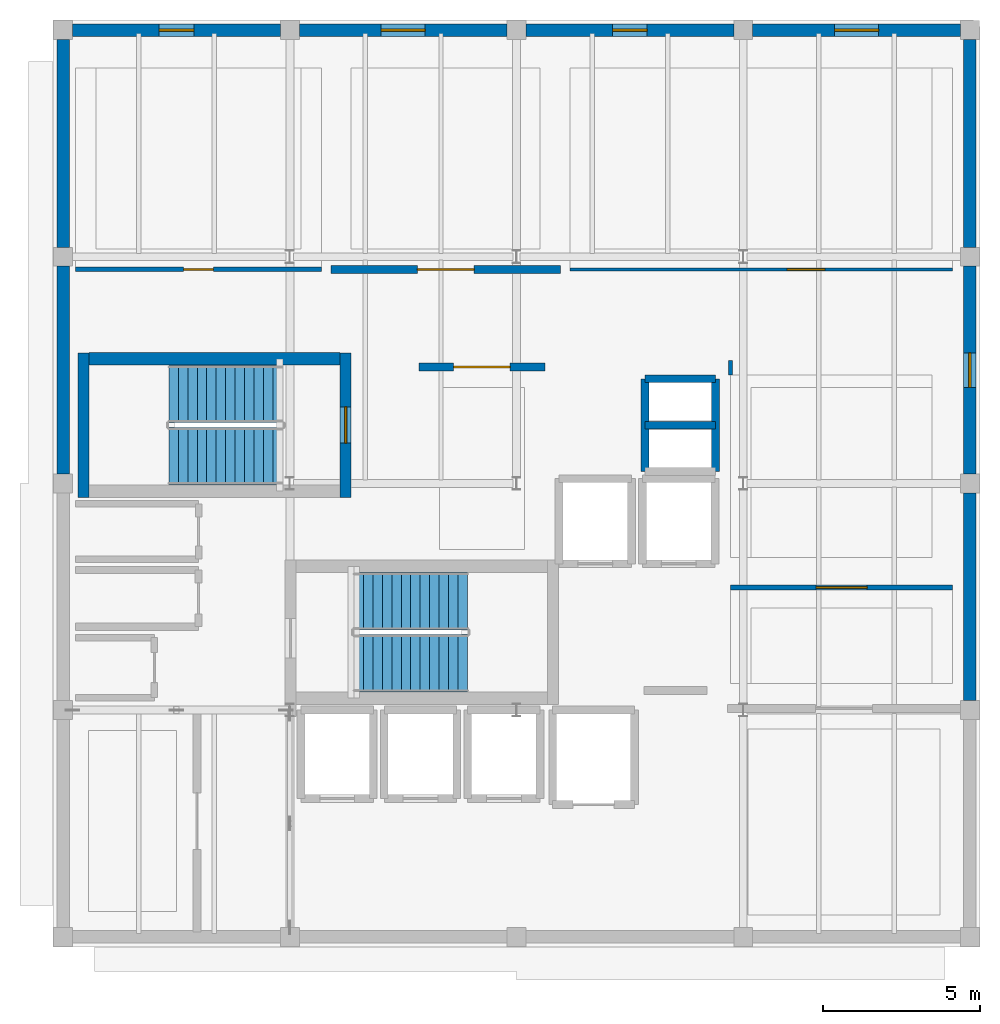
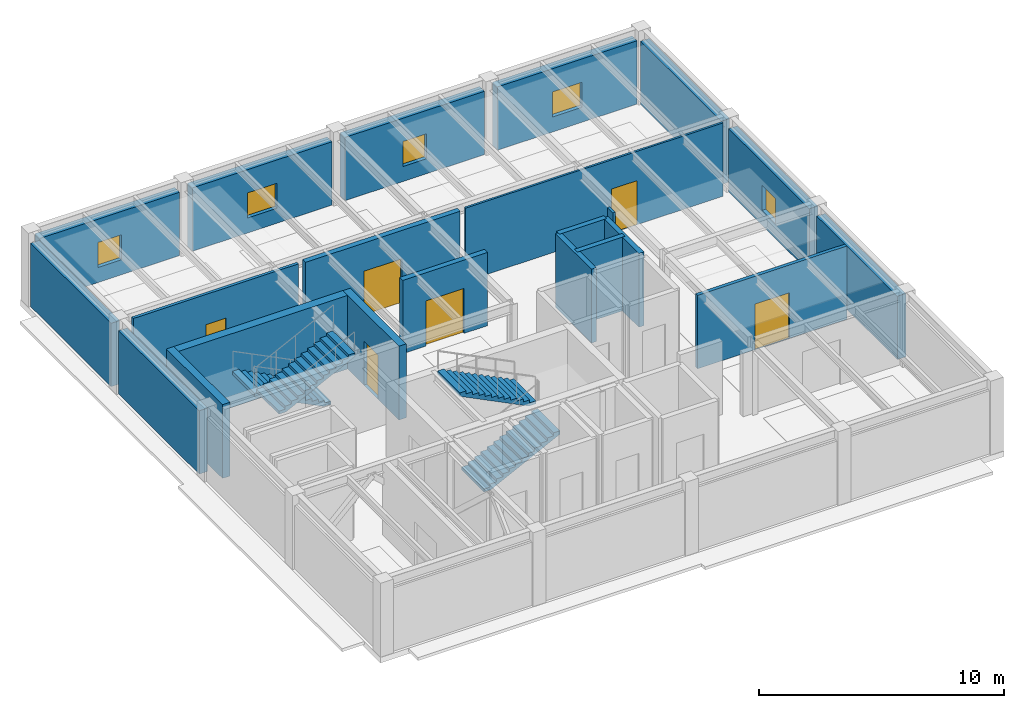
# One storey, part 5 of 8: 22 walls, 6 doors, 5 windows, 4 stair flights, 11 openings, 2 elements without a shape of their own.
"""IFC4 building model written with IfcOpenShell, lengths in metres."""

from ifc_helpers import new_model, si_unit, direction, frame, frame_2d, origin, place, context, subcontext, project, spatial, polyline, rectangle, outline, extrude, material, layer, layer_set, type_object, element, fill, aggregate, save


model = new_model("IFC4")

# Units and contexts
model_context = context("Model", 3, precision=1e-05, world=origin(), true_north=direction((0.0, 1.0)))
body_context = subcontext(model_context, "Body", "Model", "MODEL_VIEW")
ifc_project = project(units=[si_unit("LENGTHUNIT", "METRE"), si_unit("AREAUNIT", "SQUARE_METRE"), si_unit("VOLUMEUNIT", "CUBIC_METRE"), si_unit("PLANEANGLEUNIT", "RADIAN"), si_unit("MASSUNIT", "GRAM", prefix="KILO")], contexts=[model_context])

# Site, building, storey
site_placement = place(None, origin())
site = spatial("IfcSite", under=ifc_project, at=site_placement, CompositionType="ELEMENT")
building_placement = place(site_placement, origin())
building = spatial("IfcBuilding", under=site, at=building_placement, Name="Kandorven Conservatory and Botanical Research Centre", CompositionType="ELEMENT")
storey_placement = place(building_placement, frame((0.0, 0.0, 40.5)))
storey = spatial("IfcBuildingStorey", under=building, at=storey_placement, Name="L10", CompositionType="ELEMENT", Elevation=40.5)

# Wall
ifc_material_1 = material(Name="Concrete C40/50 (M50)", Category="concrete")
ifc_layer_1 = layer(ifc_material_1, 0.39990234375)
ifc_layer_set_1 = layer_set([ifc_layer_1], Name="Concrete C40/50 (M50)")
wall_type_1 = type_object("IfcWallType", Name="Wall_CW-RC-1", PredefinedType="SHEAR", material=ifc_layer_set_1)
wall_1_placement = place(storey_placement, frame((14.800048828125, 24.35498046875, 0.0), z_axis=(0.0, 0.0, 1.0), x_axis=(-1.0, 0.0, 0.0)))
element("IfcWall", 1, at=wall_1_placement, inside=storey, type_object=wall_type_1, Name="Core stair shear wall CW-RC-1 ST-T2 L10 side A", PredefinedType="SHEAR", context=body_context, shape_type="SweptSolid", body=[
    extrude(rectangle(XDim=7.97998046875, YDim=0.39990234375, at=frame_2d((3.989990234375, 0.0))), origin(), (0.0, 0.0, 1.0), 3.679931640625),
])

# Wall, opening, door
ifc_material_2 = material(Name="Concrete C40/50 (M50)", Category="concrete")
ifc_layer_2 = layer(ifc_material_2, 0.35009765625)
ifc_layer_set_2 = layer_set([ifc_layer_2], Name="Concrete C40/50 (M50)")
wall_type_2 = type_object("IfcWallType", Name="Wall_CW-RC-2", PredefinedType="SHEAR", material=ifc_layer_set_2)
wall_2_placement = place(storey_placement, frame((14.97509765625, 24.550048828125, 0.0), z_axis=(0.0, 0.0, 1.0), x_axis=(0.0, -1.0, 0.0)))
wall_2 = element("IfcWall", 2, at=wall_2_placement, inside=storey, type_object=wall_type_2, Name="Core stair shear wall CW-RC-2 ST-T2 L10 entry", PredefinedType="SHEAR", context=body_context, shape_type="SweptSolid", body=[
    extrude(rectangle(XDim=4.590087890625, YDim=0.35009765625, at=frame_2d((2.294921875, 0.0))), origin(), (0.0, 0.0, 1.0), 3.679931640625),
])
opening_1_placement = place(wall_2_placement, frame((1.719970703125, 0.0, 0.0)))
opening_1 = element("IfcOpeningElement", 3, at=opening_1_placement, cuts=wall_2, Name="Opening FD-2", PredefinedType="OPENING", context=body_context, shape_type="SweptSolid", body=[
    extrude(rectangle(XDim=1.14990234375, YDim=2.199951171875, at=frame_2d((0.574951171875, 1.10009765625))), frame((0.0, 0.18505859375, 0.0), z_axis=(0.0, -1.0, 0.0), x_axis=(1.0, 0.0, 0.0)), (0.0, 0.0, 1.0), 0.3701171875),
])
ifc_material_3 = material(Name="Galvanised hollow steel fire door assembly", Category="steel")
door_type_1 = type_object("IfcDoorType", Name="Door_FD-2", OperationType="NOTDEFINED", PredefinedType="DOOR", material=ifc_material_3)
door_1_placement = place(opening_1_placement, origin())
door_1 = element("IfcDoor", 4, at=door_1_placement, inside=storey, type_object=door_type_1, Name="Exit stair fire door FD-2 ST-T2 L10", OperationType="SINGLE_SWING_LEFT", OverallHeight=2.199951171875, OverallWidth=1.14990234375, PredefinedType="DOOR", context=body_context, shape_type="SweptSolid", body=[
    extrude(rectangle(XDim=1.14990234375, YDim=2.199951171875, at=frame_2d((0.574951171875, 1.10009765625))), frame((0.0, 0.02490234375, 0.0), z_axis=(0.0, -1.0, 0.0), x_axis=(1.0, 0.0, 0.0)), (0.0, 0.0, 1.0), 0.050048828125),
])
fill(opening_1, door_1)

# Walls
wall_3_placement = place(storey_placement, frame((6.64501953125, 24.550048828125, 0.0), z_axis=(0.0, 0.0, 1.0), x_axis=(0.0, -1.0, 0.0)))
element("IfcWall", 5, at=wall_3_placement, inside=storey, type_object=wall_type_2, Name="Core stair shear wall CW-RC-2 ST-T2 L10 far", PredefinedType="SHEAR", context=body_context, shape_type="SweptSolid", body=[
    extrude(rectangle(XDim=4.590087890625, YDim=0.35009765625, at=frame_2d((2.294921875, 0.0))), origin(), (0.0, 0.0, 1.0), 3.679931640625),
])
for number, where, z_axis, x_axis, name in (
    (6, (24.47998046875, 22.25, 0.0), (0.0, 0.0, 1.0), (1.0, 0.0, 0.0), "Core MEP riser shaft wall CW-RC-2 L10 M"),
    (7, (24.47998046875, 23.719970703125, 0.0), (0.0, 0.0, 1.0), (1.0, 0.0, 0.0), "Core MEP riser shaft wall CW-RC-2 L10 N"),
):
    element("IfcWall", number, at=place(storey_placement, frame(where, z_axis=z_axis, x_axis=x_axis)), inside=storey, type_object=wall_type_2, Name=name, PredefinedType="SHEAR", context=body_context, shape_type="SweptSolid", body=[
        extrude(rectangle(XDim=2.239990234375, YDim=0.239990234375, at=frame_2d((1.1201171875, 0.0))), origin(), (0.0, 0.0, 1.0), 3.679931640625),
    ])
for number, where, z_axis, x_axis, name in (
    (8, (24.47998046875, 20.780029296875, 0.0), (0.0, 0.0, 1.0), (0.0, 1.0, 0.0), "Core MEP riser shaft wall CW-RC-2 L10 W"),
    (9, (26.719970703125, 20.780029296875, 0.0), (0.0, 0.0, 1.0), (0.0, 1.0, 0.0), "Core MEP riser shaft wall CW-RC-2 L10 E"),
):
    element("IfcWall", number, at=place(storey_placement, frame(where, z_axis=z_axis, x_axis=x_axis)), inside=storey, type_object=wall_type_2, Name=name, PredefinedType="SHEAR", context=body_context, shape_type="SweptSolid", body=[
        extrude(rectangle(XDim=2.93994140625, YDim=0.239990234375, at=frame_2d((1.469970703125, 0.0))), origin(), (0.0, 0.0, 1.0), 3.679931640625),
    ])

# Wall, opening, window
ifc_material_4 = material(Name="Concrete C40/50 (M50)", Category="concrete")
ifc_layer_3 = layer(ifc_material_4, 0.39990234375)
ifc_layer_set_3 = layer_set([ifc_layer_3], Name="Concrete C40/50 (M50)")
wall_type_3 = type_object("IfcWallType", Name="Wall_EW-HB-01", PredefinedType="STANDARD", material=ifc_layer_set_3)
wall_4_placement = place(storey_placement, frame((6.300048828125, 34.800048828125, 0.0), z_axis=(0.0, 0.0, 1.0), x_axis=(1.0, 0.0, 0.0)))
wall_4 = element("IfcWall", 10, at=wall_4_placement, inside=storey, type_object=wall_type_3, Name="Tower concrete facade wall EW-HB-01 N L10", PredefinedType="STANDARD", context=body_context, shape_type="SweptSolid", body=[
    extrude(rectangle(XDim=6.599853515625, YDim=0.39990234375, at=frame_2d((3.2998046875, 0.0))), origin(), (0.0, 0.0, 1.0), 3.159912109375),
])
opening_2_placement = place(wall_4_placement, frame((2.75, 0.0, 0.75)))
opening_2 = element("IfcOpeningElement", 11, at=opening_2_placement, cuts=wall_4, Name="Opening W-45", PredefinedType="OPENING", context=body_context, shape_type="SweptSolid", body=[
    extrude(rectangle(XDim=1.10009765625, YDim=1.25, at=frame_2d((0.550048828125, 0.625))), frame((0.0, 0.2099609375, 0.0), z_axis=(0.0, -1.0, 0.0), x_axis=(1.0, 0.0, 0.0)), (0.0, 0.0, 1.0), 0.419921875),
])
ifc_material_5 = material(Name="Double-glazed solar-control low-E glass", Category="glass")
window_type_1 = type_object("IfcWindowType", Name="Win_W-45", PartitioningType="DOUBLE_PANEL_VERTICAL", PredefinedType="WINDOW", material=ifc_material_5)
window_1_placement = place(opening_2_placement, origin())
window_1 = element("IfcWindow", 12, at=window_1_placement, inside=storey, type_object=window_type_1, Name="Tower recessed solar window W-45", OverallHeight=1.25, OverallWidth=1.10009765625, PartitioningType="SINGLE_PANEL", PredefinedType="WINDOW", context=body_context, shape_type="SweptSolid", body=[
    extrude(rectangle(XDim=1.10009765625, YDim=1.25, at=frame_2d((0.550048828125, 0.625))), frame((0.0, 0.030029296875, 0.0), z_axis=(0.0, -1.0, 0.0), x_axis=(1.0, 0.0, 0.0)), (0.0, 0.0, 1.0), 0.06005859375),
])
fill(opening_2, window_1)

wall_5_placement = place(storey_placement, frame((13.5, 34.800048828125, 0.0), z_axis=(0.0, 0.0, 1.0), x_axis=(1.0, 0.0, 0.0)))
wall_5 = element("IfcWall", 13, at=wall_5_placement, inside=storey, type_object=wall_type_3, Name="Tower concrete facade wall EW-HB-01 N L10", PredefinedType="STANDARD", context=body_context, shape_type="SweptSolid", body=[
    extrude(rectangle(XDim=6.60009765625, YDim=0.39990234375, at=frame_2d((3.300048828125, 0.0))), origin(), (0.0, 0.0, 1.0), 3.159912109375),
])
opening_3_placement = place(wall_5_placement, frame((2.60009765625, 0.0, 0.75)))
opening_3 = element("IfcOpeningElement", 14, at=opening_3_placement, cuts=wall_5, Name="Opening W-46", PredefinedType="OPENING", context=body_context, shape_type="SweptSolid", body=[
    extrude(rectangle(XDim=1.39990234375, YDim=1.25, at=frame_2d((0.699951171875, 0.625))), frame((0.0, 0.2099609375, 0.0), z_axis=(0.0, -1.0, 0.0), x_axis=(1.0, 0.0, 0.0)), (0.0, 0.0, 1.0), 0.419921875),
])
ifc_material_6 = material(Name="Double-glazed solar-control low-E glass", Category="glass")
window_type_2 = type_object("IfcWindowType", Name="Win_W-46", PartitioningType="DOUBLE_PANEL_VERTICAL", PredefinedType="WINDOW", material=ifc_material_6)
window_2_placement = place(opening_3_placement, origin())
window_2 = element("IfcWindow", 15, at=window_2_placement, inside=storey, type_object=window_type_2, Name="Tower recessed solar window W-46", OverallHeight=1.25, OverallWidth=1.39990234375, PartitioningType="SINGLE_PANEL", PredefinedType="WINDOW", context=body_context, shape_type="SweptSolid", body=[
    extrude(rectangle(XDim=1.39990234375, YDim=1.25, at=frame_2d((0.699951171875, 0.625))), frame((0.0, 0.030029296875, 0.0), z_axis=(0.0, -1.0, 0.0), x_axis=(1.0, 0.0, 0.0)), (0.0, 0.0, 1.0), 0.06005859375),
])
fill(opening_3, window_2)

wall_6_placement = place(storey_placement, frame((20.699951171875, 34.800048828125, 0.0), z_axis=(0.0, 0.0, 1.0), x_axis=(1.0, 0.0, 0.0)))
wall_6 = element("IfcWall", 16, at=wall_6_placement, inside=storey, type_object=wall_type_3, Name="Tower concrete facade wall EW-HB-01 N L10", PredefinedType="STANDARD", context=body_context, shape_type="SweptSolid", body=[
    extrude(rectangle(XDim=6.60009765625, YDim=0.39990234375, at=frame_2d((3.300048828125, 0.0))), origin(), (0.0, 0.0, 1.0), 3.159912109375),
])
opening_4_placement = place(wall_6_placement, frame((2.75, 0.0, 0.75)))
opening_4 = element("IfcOpeningElement", 17, at=opening_4_placement, cuts=wall_6, Name="Opening W-45", PredefinedType="OPENING", context=body_context, shape_type="SweptSolid", body=[
    extrude(rectangle(XDim=1.10009765625, YDim=1.25, at=frame_2d((0.550048828125, 0.625))), frame((0.0, 0.2099609375, 0.0), z_axis=(0.0, -1.0, 0.0), x_axis=(1.0, 0.0, 0.0)), (0.0, 0.0, 1.0), 0.419921875),
])
window_3_placement = place(opening_4_placement, origin())
window_3 = element("IfcWindow", 18, at=window_3_placement, inside=storey, type_object=window_type_1, Name="Tower recessed solar window W-45", OverallHeight=1.25, OverallWidth=1.10009765625, PartitioningType="SINGLE_PANEL", PredefinedType="WINDOW", context=body_context, shape_type="SweptSolid", body=[
    extrude(rectangle(XDim=1.10009765625, YDim=1.25, at=frame_2d((0.550048828125, 0.625))), frame((0.0, 0.030029296875, 0.0), z_axis=(0.0, -1.0, 0.0), x_axis=(1.0, 0.0, 0.0)), (0.0, 0.0, 1.0), 0.06005859375),
])
fill(opening_4, window_3)

wall_7_placement = place(storey_placement, frame((27.89990234375, 34.800048828125, 0.0), z_axis=(0.0, 0.0, 1.0), x_axis=(1.0, 0.0, 0.0)))
wall_7 = element("IfcWall", 19, at=wall_7_placement, inside=storey, type_object=wall_type_3, Name="Tower concrete facade wall EW-HB-01 N L10", PredefinedType="STANDARD", context=body_context, shape_type="SweptSolid", body=[
    extrude(rectangle(XDim=6.60009765625, YDim=0.39990234375, at=frame_2d((3.300048828125, 0.0))), origin(), (0.0, 0.0, 1.0), 3.159912109375),
])
opening_5_placement = place(wall_7_placement, frame((2.60009765625, 0.0, 0.75)))
opening_5 = element("IfcOpeningElement", 20, at=opening_5_placement, cuts=wall_7, Name="Opening W-46", PredefinedType="OPENING", context=body_context, shape_type="SweptSolid", body=[
    extrude(rectangle(XDim=1.39990234375, YDim=1.25, at=frame_2d((0.699951171875, 0.625))), frame((0.0, 0.2099609375, 0.0), z_axis=(0.0, -1.0, 0.0), x_axis=(1.0, 0.0, 0.0)), (0.0, 0.0, 1.0), 0.419921875),
])
window_4_placement = place(opening_5_placement, origin())
window_4 = element("IfcWindow", 21, at=window_4_placement, inside=storey, type_object=window_type_2, Name="Tower recessed solar window W-46", OverallHeight=1.25, OverallWidth=1.39990234375, PartitioningType="SINGLE_PANEL", PredefinedType="WINDOW", context=body_context, shape_type="SweptSolid", body=[
    extrude(rectangle(XDim=1.39990234375, YDim=1.25, at=frame_2d((0.699951171875, 0.625))), frame((0.0, 0.030029296875, 0.0), z_axis=(0.0, -1.0, 0.0), x_axis=(1.0, 0.0, 0.0)), (0.0, 0.0, 1.0), 0.06005859375),
])
fill(opening_5, window_4)

# Walls
for number, where, z_axis, x_axis, name in (
    (22, (6.0, 20.699951171875, 0.0), (0.0, 0.0, 1.0), (0.0, 1.0, 0.0), "Tower concrete facade wall EW-HB-01 W L10"),
    (23, (6.0, 27.89990234375, 0.0), (0.0, 0.0, 1.0), (0.0, 1.0, 0.0), "Tower concrete facade wall EW-HB-01 W L10"),
    (24, (34.800048828125, 13.5, 0.0), (0.0, 0.0, 1.0), (0.0, 1.0, 0.0), "Tower concrete facade wall EW-HB-01 E L10"),
):
    element("IfcWall", number, at=place(storey_placement, frame(where, z_axis=z_axis, x_axis=x_axis)), inside=storey, type_object=wall_type_3, Name=name, PredefinedType="STANDARD", context=body_context, shape_type="SweptSolid", body=[
        extrude(rectangle(XDim=6.60009765625, YDim=0.39990234375, at=frame_2d((3.300048828125, 0.0))), origin(), (0.0, 0.0, 1.0), 3.159912109375),
    ])

# Wall, opening, window
wall_8_placement = place(storey_placement, frame((34.800048828125, 20.699951171875, 0.0), z_axis=(0.0, 0.0, 1.0), x_axis=(0.0, 1.0, 0.0)))
wall_8 = element("IfcWall", 25, at=wall_8_placement, inside=storey, type_object=wall_type_3, Name="Tower concrete facade wall EW-HB-01 E L10", PredefinedType="STANDARD", context=body_context, shape_type="SweptSolid", body=[
    extrude(rectangle(XDim=6.60009765625, YDim=0.39990234375, at=frame_2d((3.300048828125, 0.0))), origin(), (0.0, 0.0, 1.0), 3.159912109375),
])
opening_6_placement = place(wall_8_placement, frame((2.75, 0.0, 0.75)))
opening_6 = element("IfcOpeningElement", 26, at=opening_6_placement, cuts=wall_8, Name="Opening W-45", PredefinedType="OPENING", context=body_context, shape_type="SweptSolid", body=[
    extrude(rectangle(XDim=1.10009765625, YDim=1.25, at=frame_2d((0.550048828125, 0.625))), frame((0.0, 0.2099609375, 0.0), z_axis=(0.0, -1.0, 0.0), x_axis=(1.0, 0.0, 0.0)), (0.0, 0.0, 1.0), 0.419921875),
])
window_5_placement = place(opening_6_placement, origin())
window_5 = element("IfcWindow", 27, at=window_5_placement, inside=storey, type_object=window_type_1, Name="Tower recessed solar window W-45", OverallHeight=1.25, OverallWidth=1.10009765625, PartitioningType="SINGLE_PANEL", PredefinedType="WINDOW", context=body_context, shape_type="SweptSolid", body=[
    extrude(rectangle(XDim=1.10009765625, YDim=1.25, at=frame_2d((0.550048828125, 0.625))), frame((0.0, 0.030029296875, 0.0), z_axis=(0.0, -1.0, 0.0), x_axis=(1.0, 0.0, 0.0)), (0.0, 0.0, 1.0), 0.06005859375),
])
fill(opening_6, window_5)

# Wall
wall_9_placement = place(storey_placement, frame((34.800048828125, 27.89990234375, 0.0), z_axis=(0.0, 0.0, 1.0), x_axis=(0.0, 1.0, 0.0)))
element("IfcWall", 28, at=wall_9_placement, inside=storey, type_object=wall_type_3, Name="Tower concrete facade wall EW-HB-01 E L10", PredefinedType="STANDARD", context=body_context, shape_type="SweptSolid", body=[
    extrude(rectangle(XDim=6.60009765625, YDim=0.39990234375, at=frame_2d((3.300048828125, 0.0))), origin(), (0.0, 0.0, 1.0), 3.159912109375),
])

# Wall, opening, door
ifc_material_7 = material(Name="Autoclaved aerated concrete blockwork masonry", Category="masonry")
ifc_layer_4 = layer(ifc_material_7, 0.1650390625)
ifc_layer_set_4 = layer_set([ifc_layer_4], Name="Autoclaved aerated concrete blockwork masonry")
wall_type_4 = type_object("IfcWallType", Name="Wall_IW-04", PredefinedType="PARTITIONING", material=ifc_layer_set_4)
wall_10_placement = place(storey_placement, frame((27.199951171875, 17.10009765625, 0.0), z_axis=(0.0, 0.0, 1.0), x_axis=(1.0, 0.0, 0.0)))
wall_10 = element("IfcWall", 29, at=wall_10_placement, inside=storey, type_object=wall_type_4, Name="Interior partition wall IW-04 (Flora Taxonomy Microscopy Laboratory L10)", PredefinedType="PARTITIONING", context=body_context, shape_type="SweptSolid", body=[
    extrude(rectangle(XDim=7.050048828125, YDim=0.1650390625, at=frame_2d((3.52490234375, 0.0))), origin(), (0.0, 0.0, 1.0), 3.659912109375),
])
opening_7_placement = place(wall_10_placement, frame((2.715087890625, 0.0, 0.0)))
opening_7 = element("IfcOpeningElement", 30, at=opening_7_placement, cuts=wall_10, Name="Opening D-27", PredefinedType="OPENING", context=body_context, shape_type="SweptSolid", body=[
    extrude(rectangle(XDim=1.6201171875, YDim=2.280029296875, at=frame_2d((0.81005859375, 1.14013671875))), frame((0.0, 0.092529296875, 0.0), z_axis=(0.0, -1.0, 0.0), x_axis=(1.0, 0.0, 0.0)), (0.0, 0.0, 1.0), 0.18505859375),
])
ifc_material_8 = material(Name="Solid core acoustic teak-veneered timber leaf", Category="wood")
door_type_2 = type_object("IfcDoorType", Name="Door_D-27", OperationType="NOTDEFINED", PredefinedType="DOOR", material=ifc_material_8)
door_2_placement = place(opening_7_placement, origin())
door_2 = element("IfcDoor", 31, at=door_2_placement, inside=storey, type_object=door_type_2, Name="Interior door D-27 to Flora Taxonomy Microscopy Laboratory L10", OperationType="DOUBLE_DOOR_SINGLE_SWING", OverallHeight=2.280029296875, OverallWidth=1.6201171875, PredefinedType="DOOR", context=body_context, shape_type="SweptSolid", body=[
    extrude(rectangle(XDim=1.6201171875, YDim=2.280029296875, at=frame_2d((0.81005859375, 1.14013671875))), frame((0.0, 0.02490234375, 0.0), z_axis=(0.0, -1.0, 0.0), x_axis=(1.0, 0.0, 0.0)), (0.0, 0.0, 1.0), 0.050048828125),
])
fill(opening_7, door_2)

ifc_material_9 = material(Name="Fire-rated acoustic gypsum board partition", Category="gypsum")
ifc_layer_5 = layer(ifc_material_9, 0.139892578125)
ifc_layer_set_5 = layer_set([ifc_layer_5], Name="Fire-rated acoustic gypsum board partition")
wall_type_5 = type_object("IfcWallType", Name="Wall_IW-06", PredefinedType="PARTITIONING", material=ifc_layer_set_5)
wall_11_placement = place(storey_placement, frame((6.39990234375, 27.199951171875, 0.0), z_axis=(0.0, 0.0, 1.0), x_axis=(1.0, 0.0, 0.0)))
wall_11 = element("IfcWall", 32, at=wall_11_placement, inside=storey, type_object=wall_type_5, Name="Interior partition wall IW-06 (Ethnobotany Field Specimen Studio L10)", PredefinedType="PARTITIONING", context=body_context, shape_type="SweptSolid", body=[
    extrude(rectangle(XDim=7.800048828125, YDim=0.139892578125, at=frame_2d((3.89990234375, 0.0))), origin(), (0.0, 0.0, 1.0), 3.659912109375),
])
opening_8_placement = place(wall_11_placement, frame((3.425048828125, 0.0, 0.0)))
opening_8 = element("IfcOpeningElement", 33, at=opening_8_placement, cuts=wall_11, Name="Opening D-01", PredefinedType="OPENING", context=body_context, shape_type="SweptSolid", body=[
    extrude(rectangle(XDim=0.949951171875, YDim=2.14990234375, at=frame_2d((0.47509765625, 1.074951171875))), frame((0.0, 0.079833984375, 0.0), z_axis=(0.0, -1.0, 0.0), x_axis=(1.0, 0.0, 0.0)), (0.0, 0.0, 1.0), 0.159912109375),
])
ifc_material_10 = material(Name="Solid core acoustic teak-veneered timber leaf", Category="wood")
door_type_3 = type_object("IfcDoorType", Name="Door_D-01", OperationType="NOTDEFINED", PredefinedType="DOOR", material=ifc_material_10)
door_3_placement = place(opening_8_placement, frame((0.949951171875, 0.0, 0.0), z_axis=(0.0, 0.0, 1.0), x_axis=(-1.0, 0.0, 0.0)))
door_3 = element("IfcDoor", 34, at=door_3_placement, inside=storey, type_object=door_type_3, Name="Interior door D-01 to Ethnobotany Field Specimen Studio L10", OperationType="SINGLE_SWING_LEFT", OverallHeight=2.14990234375, OverallWidth=0.949951171875, PredefinedType="DOOR", context=body_context, shape_type="SweptSolid", body=[
    extrude(rectangle(XDim=0.949951171875, YDim=2.14990234375, at=frame_2d((0.47509765625, 1.074951171875))), frame((0.0, 0.02490234375, 0.0), z_axis=(0.0, -1.0, 0.0), x_axis=(1.0, 0.0, 0.0)), (0.0, 0.0, 1.0), 0.050048828125),
])
fill(opening_8, door_3)

# Wall
ifc_material_11 = material(Name="Fire-rated acoustic gypsum board partition", Category="gypsum")
ifc_layer_6 = layer(ifc_material_11, 0.1201171875)
ifc_layer_set_6 = layer_set([ifc_layer_6], Name="Fire-rated acoustic gypsum board partition")
wall_type_6 = type_object("IfcWallType", Name="Wall_IW-08", PredefinedType="PARTITIONING", material=ifc_layer_set_6)
wall_12_placement = place(storey_placement, frame((27.199951171875, 24.300048828125, 0.0), z_axis=(0.0, 0.0, 1.0), x_axis=(0.0, -1.0, 0.0)))
element("IfcWall", 35, at=wall_12_placement, inside=storey, type_object=wall_type_6, Name="Interior partition wall IW-08 (Herbarium Digitisation and Imaging Studio L10)", PredefinedType="PARTITIONING", context=body_context, shape_type="SweptSolid", body=[
    extrude(rectangle(XDim=0.449951171875, YDim=0.1201171875, at=frame_2d((0.22509765625, 0.0))), origin(), (0.0, 0.0, 1.0), 3.659912109375),
])

# Wall, opening, door
ifc_material_12 = material(Name="Fire-rated acoustic gypsum board partition", Category="gypsum")
ifc_layer_7 = layer(ifc_material_12, 0.10009765625)
ifc_layer_set_7 = layer_set([ifc_layer_7], Name="Fire-rated acoustic gypsum board partition")
wall_type_7 = type_object("IfcWallType", Name="Wall_IW-10", PredefinedType="PARTITIONING", material=ifc_layer_set_7)
wall_13_placement = place(storey_placement, frame((22.10009765625, 27.199951171875, 0.0), z_axis=(0.0, 0.0, 1.0), x_axis=(1.0, 0.0, 0.0)))
wall_13 = element("IfcWall", 36, at=wall_13_placement, inside=storey, type_object=wall_type_7, Name="Interior partition wall IW-10 (Palynology Research Laboratory L10)", PredefinedType="PARTITIONING", context=body_context, shape_type="SweptSolid", body=[
    extrude(rectangle(XDim=12.14990234375, YDim=0.10009765625, at=frame_2d((6.074951171875, 0.0))), origin(), (0.0, 0.0, 1.0), 3.659912109375),
])
opening_9_placement = place(wall_13_placement, frame((6.892578125, 0.0, 0.0)))
opening_9 = element("IfcOpeningElement", 37, at=opening_9_placement, cuts=wall_13, Name="Opening D-05", PredefinedType="OPENING", context=body_context, shape_type="SweptSolid", body=[
    extrude(rectangle(XDim=1.199951171875, YDim=2.199951171875, at=frame_2d((0.60009765625, 1.10009765625))), frame((0.0, 0.06005859375, 0.0), z_axis=(0.0, -1.0, 0.0), x_axis=(1.0, 0.0, 0.0)), (0.0, 0.0, 1.0), 0.1201171875),
])
ifc_material_13 = material(Name="Solid core acoustic teak-veneered timber leaf", Category="wood")
door_type_4 = type_object("IfcDoorType", Name="Door_D-05", OperationType="NOTDEFINED", PredefinedType="DOOR", material=ifc_material_13)
door_4_placement = place(opening_9_placement, origin())
door_4 = element("IfcDoor", 38, at=door_4_placement, inside=storey, type_object=door_type_4, Name="Interior door D-05 to Palynology Research Laboratory L10", OperationType="SINGLE_SWING_LEFT", OverallHeight=2.199951171875, OverallWidth=1.199951171875, PredefinedType="DOOR", context=body_context, shape_type="SweptSolid", body=[
    extrude(rectangle(XDim=1.199951171875, YDim=2.199951171875, at=frame_2d((0.60009765625, 1.10009765625))), frame((0.0, 0.02490234375, 0.0), z_axis=(0.0, -1.0, 0.0), x_axis=(1.0, 0.0, 0.0)), (0.0, 0.0, 1.0), 0.050048828125),
])
fill(opening_9, door_4)

ifc_material_14 = material(Name="Concrete C32/40 (M40)", Category="concrete")
ifc_layer_8 = layer(ifc_material_14, 0.25)
ifc_layer_set_8 = layer_set([ifc_layer_8], Name="Concrete C32/40 (M40)")
wall_type_8 = type_object("IfcWallType", Name="Wall_IW-FR-1", PredefinedType="SOLIDWALL", material=ifc_layer_set_8)
wall_14_placement = place(storey_placement, frame((17.300048828125, 24.10009765625, 0.0), z_axis=(0.0, 0.0, 1.0), x_axis=(1.0, 0.0, 0.0)))
wall_14 = element("IfcWall", 39, at=wall_14_placement, inside=storey, type_object=wall_type_8, Name="Interior fire partition wall IW-FR-1 (Herbarium Bryophyte Collection Vault L10)", PredefinedType="SOLIDWALL", context=body_context, shape_type="SweptSolid", body=[
    extrude(rectangle(XDim=4.0, YDim=0.25, at=frame_2d((2.0, 0.0))), origin(), (0.0, 0.0, 1.0), 3.659912109375),
])
opening_10_placement = place(wall_14_placement, frame((1.10009765625, 0.0, 0.0)))
opening_10 = element("IfcOpeningElement", 40, at=opening_10_placement, cuts=wall_14, Name="Opening FD-4", PredefinedType="OPENING", context=body_context, shape_type="SweptSolid", body=[
    extrude(rectangle(XDim=1.800048828125, YDim=2.25, at=frame_2d((0.89990234375, 1.125))), frame((0.0, 0.135009765625, 0.0), z_axis=(0.0, -1.0, 0.0), x_axis=(1.0, 0.0, 0.0)), (0.0, 0.0, 1.0), 0.27001953125),
])
ifc_material_15 = material(Name="Galvanised hollow steel fire door assembly", Category="steel")
door_type_5 = type_object("IfcDoorType", Name="Door_FD-4", OperationType="NOTDEFINED", PredefinedType="DOOR", material=ifc_material_15)
door_5_placement = place(opening_10_placement, frame((1.800048828125, 0.0, 0.0), z_axis=(0.0, 0.0, 1.0), x_axis=(-1.0, 0.0, 0.0)))
door_5 = element("IfcDoor", 41, at=door_5_placement, inside=storey, type_object=door_type_5, Name="Interior door FD-4 to Herbarium Bryophyte Collection Vault L10", OperationType="DOUBLE_DOOR_SINGLE_SWING", OverallHeight=2.25, OverallWidth=1.800048828125, PredefinedType="DOOR", context=body_context, shape_type="SweptSolid", body=[
    extrude(rectangle(XDim=1.800048828125, YDim=2.25, at=frame_2d((0.89990234375, 1.125))), frame((0.0, 0.02490234375, 0.0), z_axis=(0.0, -1.0, 0.0), x_axis=(1.0, 0.0, 0.0)), (0.0, 0.0, 1.0), 0.050048828125),
])
fill(opening_10, door_5)

wall_15_placement = place(storey_placement, frame((14.5, 27.199951171875, 0.0), z_axis=(0.0, 0.0, 1.0), x_axis=(1.0, 0.0, 0.0)))
wall_15 = element("IfcWall", 42, at=wall_15_placement, inside=storey, type_object=wall_type_8, Name="Interior fire partition wall IW-FR-1 (Herbarium Cryptogamic Collection Archive L10)", PredefinedType="SOLIDWALL", context=body_context, shape_type="SweptSolid", body=[
    extrude(rectangle(XDim=7.300048828125, YDim=0.25, at=frame_2d((3.64990234375, 0.0))), origin(), (0.0, 0.0, 1.0), 3.659912109375),
])
opening_11_placement = place(wall_15_placement, frame((2.75, 0.0, 0.0)))
opening_11 = element("IfcOpeningElement", 43, at=opening_11_placement, cuts=wall_15, Name="Opening FD-4", PredefinedType="OPENING", context=body_context, shape_type="SweptSolid", body=[
    extrude(rectangle(XDim=1.800048828125, YDim=2.25, at=frame_2d((0.89990234375, 1.125))), frame((0.0, 0.135009765625, 0.0), z_axis=(0.0, -1.0, 0.0), x_axis=(1.0, 0.0, 0.0)), (0.0, 0.0, 1.0), 0.27001953125),
])
door_6_placement = place(opening_11_placement, frame((1.800048828125, 0.0, 0.0), z_axis=(0.0, 0.0, 1.0), x_axis=(-1.0, 0.0, 0.0)))
door_6 = element("IfcDoor", 44, at=door_6_placement, inside=storey, type_object=door_type_5, Name="Interior door FD-4 to Herbarium Cryptogamic Collection Archive L10", OperationType="DOUBLE_DOOR_SINGLE_SWING", OverallHeight=2.25, OverallWidth=1.800048828125, PredefinedType="DOOR", context=body_context, shape_type="SweptSolid", body=[
    extrude(rectangle(XDim=1.800048828125, YDim=2.25, at=frame_2d((0.89990234375, 1.125))), frame((0.0, 0.02490234375, 0.0), z_axis=(0.0, -1.0, 0.0), x_axis=(1.0, 0.0, 0.0)), (0.0, 0.0, 1.0), 0.050048828125),
])
fill(opening_11, door_6)

# Stair, stair flights
ifc_material_16 = material(Name="Concrete C32/40 (M40)", Category="concrete")
stair_type = type_object("IfcStairType", Name="Stair_1820", PredefinedType="HALF_TURN_STAIR", material=ifc_material_16)
stair_1_placement = place(storey_placement, origin())
stair_1 = element("IfcStair", 45, at=stair_1_placement, inside=storey, type_object=stair_type, Name="L10 Tower Fire Stair ST-T1", PredefinedType="HALF_TURN_STAIR")
ifc_material_17 = material(Name="Concrete C32/40 (M40)", Category="concrete")
ifc_layer_9 = layer(ifc_material_17, 0.14990234375)
ifc_layer_set_9 = layer_set([ifc_layer_9], Name="Concrete C32/40 (M40)")
stair_flight_type = type_object("IfcStairFlightType", Name="Flight_1820", PredefinedType="STRAIGHT", material=ifc_layer_set_9)
stair_flight_1_placement = place(storey_placement, frame((15.239990234375, 14.68994140625, 0.0), z_axis=(0.0, 0.0, 1.0), x_axis=(1.0, 0.0, 0.0)))
stair_flight_1 = element("IfcStairFlight", 46, at=stair_flight_1_placement, type_object=stair_flight_type, Name="ST-T1 flight 1", NumberOfRisers=13, NumberOfTreads=12, PredefinedType="STRAIGHT", RiserHeight=0.15, TreadLength=0.3, context=body_context, shape_type="SweptSolid", body=[
    extrude(outline(polyline([(0.0, 0.0), (0.0, 0.14990234375), (0.300048828125, 0.14990234375), (0.300048828125, 0.300048828125), (0.60009765625, 0.300048828125), (0.60009765625, 0.449951171875), (0.89990234375, 0.449951171875), (0.89990234375, 0.60009765625), (1.199951171875, 0.60009765625), (1.199951171875, 0.75), (1.5, 0.75), (1.5, 0.89990234375), (1.800048828125, 0.89990234375), (1.800048828125, 1.050048828125), (2.10009765625, 1.050048828125), (2.10009765625, 1.199951171875), (2.39990234375, 1.199951171875), (2.39990234375, 1.35009765625), (2.699951171875, 1.35009765625), (2.699951171875, 1.5), (3.0, 1.5), (3.0, 1.64990234375), (3.300048828125, 1.64990234375), (3.300048828125, 1.800048828125), (3.60009765625, 1.800048828125), (3.60009765625, 1.949951171875), (3.60009765625, 1.63232421875), (0.335205078125, 0.0), (0.0, 0.0)])), frame((0.0, 0.91015625, 0.0), z_axis=(0.0, -1.0, 0.0), x_axis=(1.0, 0.0, 0.0)), (0.0, 0.0, 1.0), 1.820068359375),
])
stair_flight_2_placement = place(storey_placement, frame((18.839599609375, 16.659912109375, 1.949951171875), z_axis=(0.0, 0.0, 1.0), x_axis=(-1.0, 0.0, 0.0)))
stair_flight_2 = element("IfcStairFlight", 47, at=stair_flight_2_placement, type_object=stair_flight_type, Name="ST-T1 flight 2", NumberOfRisers=13, NumberOfTreads=12, PredefinedType="STRAIGHT", RiserHeight=0.15, TreadLength=0.3, context=body_context, shape_type="SweptSolid", body=[
    extrude(outline(polyline([(0.0, 0.0), (0.0, 0.14990234375), (0.300048828125, 0.14990234375), (0.300048828125, 0.300048828125), (0.60009765625, 0.300048828125), (0.60009765625, 0.449951171875), (0.89990234375, 0.449951171875), (0.89990234375, 0.60009765625), (1.199951171875, 0.60009765625), (1.199951171875, 0.75), (1.5, 0.75), (1.5, 0.89990234375), (1.800048828125, 0.89990234375), (1.800048828125, 1.050048828125), (2.10009765625, 1.050048828125), (2.10009765625, 1.199951171875), (2.39990234375, 1.199951171875), (2.39990234375, 1.35009765625), (2.699951171875, 1.35009765625), (2.699951171875, 1.5), (3.0, 1.5), (3.0, 1.64990234375), (3.300048828125, 1.64990234375), (3.300048828125, 1.800048828125), (3.60009765625, 1.800048828125), (3.60009765625, 1.949951171875), (3.60009765625, 1.63232421875), (0.335205078125, 0.0), (0.0, 0.0)])), frame((0.0, 0.91015625, 0.0), z_axis=(0.0, -1.0, 0.0), x_axis=(1.0, 0.0, 0.0)), (0.0, 0.0, 1.0), 1.820068359375),
])
aggregate(stair_1, [stair_flight_1, stair_flight_2])

stair_2_placement = place(storey_placement, origin())
stair_2 = element("IfcStair", 48, at=stair_2_placement, inside=storey, type_object=stair_type, Name="L10 Tower Fire Stair ST-T2", PredefinedType="HALF_TURN_STAIR")
stair_flight_3_placement = place(storey_placement, frame((12.9599609375, 23.239990234375, 0.0), z_axis=(0.0, 0.0, 1.0), x_axis=(-1.0, 0.0, 0.0)))
stair_flight_3 = element("IfcStairFlight", 49, at=stair_flight_3_placement, type_object=stair_flight_type, Name="ST-T2 flight 1", NumberOfRisers=13, NumberOfTreads=12, PredefinedType="STRAIGHT", RiserHeight=0.15, TreadLength=0.3, context=body_context, shape_type="SweptSolid", body=[
    extrude(outline(polyline([(0.0, 0.0), (0.0, 0.14990234375), (0.300048828125, 0.14990234375), (0.300048828125, 0.300048828125), (0.60009765625, 0.300048828125), (0.60009765625, 0.449951171875), (0.89990234375, 0.449951171875), (0.89990234375, 0.60009765625), (1.199951171875, 0.60009765625), (1.199951171875, 0.75), (1.5, 0.75), (1.5, 0.89990234375), (1.800048828125, 0.89990234375), (1.800048828125, 1.050048828125), (2.10009765625, 1.050048828125), (2.10009765625, 1.199951171875), (2.39990234375, 1.199951171875), (2.39990234375, 1.35009765625), (2.699951171875, 1.35009765625), (2.699951171875, 1.5), (3.0, 1.5), (3.0, 1.64990234375), (3.300048828125, 1.64990234375), (3.300048828125, 1.800048828125), (3.60009765625, 1.800048828125), (3.60009765625, 1.949951171875), (3.60009765625, 1.63232421875), (0.335205078125, 0.0), (0.0, 0.0)])), frame((0.0, 0.91015625, 0.0), z_axis=(0.0, -1.0, 0.0), x_axis=(1.0, 0.0, 0.0)), (0.0, 0.0, 1.0), 1.820068359375),
])
stair_flight_4_placement = place(storey_placement, frame((9.360595703125, 21.27001953125, 1.949951171875), z_axis=(0.0, 0.0, 1.0), x_axis=(1.0, 0.0, 0.0)))
stair_flight_4 = element("IfcStairFlight", 50, at=stair_flight_4_placement, type_object=stair_flight_type, Name="ST-T2 flight 2", NumberOfRisers=13, NumberOfTreads=12, PredefinedType="STRAIGHT", RiserHeight=0.15, TreadLength=0.3, context=body_context, shape_type="SweptSolid", body=[
    extrude(outline(polyline([(0.0, 0.0), (0.0, 0.14990234375), (0.300048828125, 0.14990234375), (0.300048828125, 0.300048828125), (0.60009765625, 0.300048828125), (0.60009765625, 0.449951171875), (0.89990234375, 0.449951171875), (0.89990234375, 0.60009765625), (1.199951171875, 0.60009765625), (1.199951171875, 0.75), (1.5, 0.75), (1.5, 0.89990234375), (1.800048828125, 0.89990234375), (1.800048828125, 1.050048828125), (2.10009765625, 1.050048828125), (2.10009765625, 1.199951171875), (2.39990234375, 1.199951171875), (2.39990234375, 1.35009765625), (2.699951171875, 1.35009765625), (2.699951171875, 1.5), (3.0, 1.5), (3.0, 1.64990234375), (3.300048828125, 1.64990234375), (3.300048828125, 1.800048828125), (3.60009765625, 1.800048828125), (3.60009765625, 1.949951171875), (3.60009765625, 1.63232421875), (0.335205078125, 0.0), (0.0, 0.0)])), frame((0.0, 0.91015625, 0.0), z_axis=(0.0, -1.0, 0.0), x_axis=(1.0, 0.0, 0.0)), (0.0, 0.0, 1.0), 1.820068359375),
])
aggregate(stair_2, [stair_flight_3, stair_flight_4])

save(model, "model.ifc")
